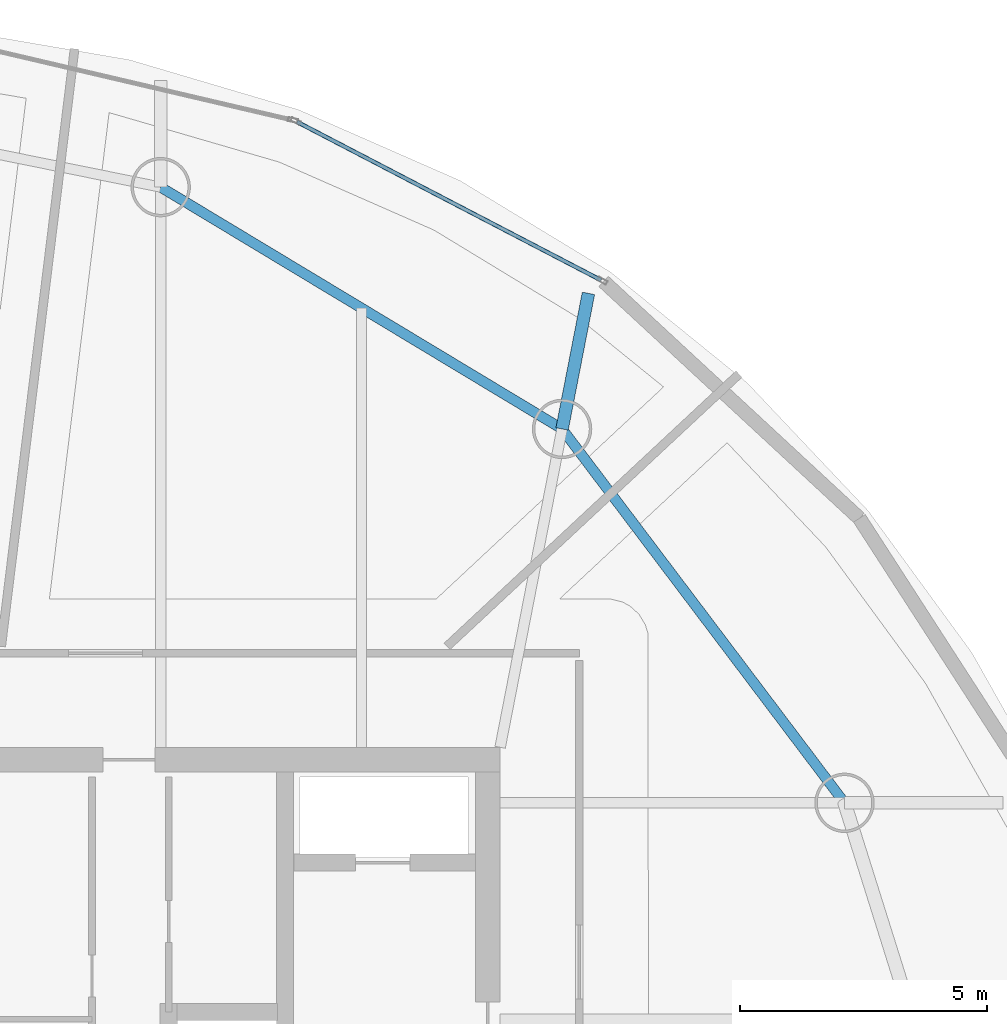
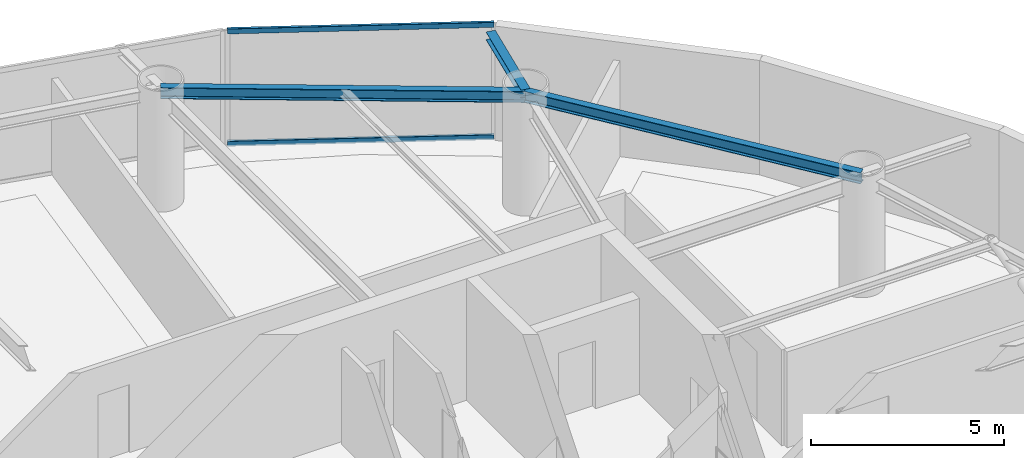
# One storey, part 15 of 25: 3 beams, 2 members, 1 element without a shape of its own.
"""IFC4 building model written with IfcOpenShell, lengths in metres."""

import ifcopenshell
import ifcopenshell.guid

model = None  # the IFC model being written
_history = None  # IfcOwnerHistory: only IFC2X3 demands one
_inside = {}  # id of a spatial element -> (the spatial element, [elements in it])
_under = {}  # id of a project, library or spatial element -> (it, [spatial elements below it])
_declared = {}  # id of a project -> (the project, [libraries it declares])
_typed = {}  # id of a type object -> (the type object, [elements of that type])
_made_of = {}  # id of a material, layer set ... -> (it, [elements and type objects made of it])


def new_model(schema):
    """Start an empty IFC model of exactly this schema.

    Asked for "IFC4X3", IfcOpenShell would pick the latest addendum, in which some entities
    have other attributes; the version numbers below select the first issue.
    IFC2X3 requires an IfcOwnerHistory on every rooted entity: one is made here for all.
    """
    global model, _history
    if schema == "IFC4X3":
        model = ifcopenshell.file(schema_version=(4, 3, 0, 0))
    else:
        model = ifcopenshell.file(schema=schema)
    _inside.clear()
    _under.clear()
    _declared.clear()
    _typed.clear()
    _made_of.clear()
    _history = None
    if model.schema == "IFC2X3":
        org = make("IfcOrganization", Name="unknown")
        user = make(
            "IfcPersonAndOrganization",
            ThePerson=make("IfcPerson", FamilyName="unknown"),
            TheOrganization=org,
        )
        app = make(
            "IfcApplication",
            ApplicationDeveloper=org,
            Version="unknown",
            ApplicationFullName="unknown",
            ApplicationIdentifier="unknown",
        )
        _history = make(
            "IfcOwnerHistory",
            OwningUser=user,
            OwningApplication=app,
            ChangeAction="ADDED",
            CreationDate=0,
        )
    return model


def make(cls, **values):
    """One entity of the class cls with the attributes given. An attribute that is None is left unset."""
    return model.create_entity(
        cls, **{name: value for name, value in values.items() if value is not None}
    )


def rooted(cls, **values):
    """An entity with a GlobalId (a new one), such as an element, a storey or a relation."""
    return make(cls, GlobalId=ifcopenshell.guid.new(), OwnerHistory=_history, **values)


def si_unit(unit_type, name, prefix=None):
    """IfcSIUnit, for example si_unit("LENGTHUNIT", "METRE", prefix="MILLI")."""
    return make("IfcSIUnit", UnitType=unit_type, Prefix=prefix, Name=name)


def assignment(units):
    """IfcUnitAssignment: the units of a project."""
    return None if units is None else make("IfcUnitAssignment", Units=units)


def point(xyz):
    """IfcCartesianPoint."""
    return None if xyz is None else make("IfcCartesianPoint", Coordinates=xyz)


def direction(xyz):
    """IfcDirection."""
    return None if xyz is None else make("IfcDirection", DirectionRatios=xyz)


def frame(location, z_axis=None, x_axis=None):
    """IfcAxis2Placement3D, a coordinate frame: its origin and axes. An axis left out is left unset."""
    return make(
        "IfcAxis2Placement3D",
        Location=point(location),
        Axis=direction(z_axis),
        RefDirection=direction(x_axis),
    )


def frame_2d(location, x_axis=None):
    """IfcAxis2Placement2D, a coordinate frame in the plane: its origin and x axis."""
    return make(
        "IfcAxis2Placement2D", Location=point(location), RefDirection=direction(x_axis)
    )


def origin():
    """The frame at (0, 0, 0) with its axes left unset."""
    return frame((0.0, 0.0, 0.0))


def origin_2d():
    """The frame at (0, 0) in the plane with its x axis left unset."""
    return frame_2d((0.0, 0.0))


def place(relative_to, where):
    """IfcLocalPlacement: puts the frame where relative to a parent placement (None: the world)."""
    return make(
        "IfcLocalPlacement", PlacementRelTo=relative_to, RelativePlacement=where
    )


def context(
    kind, dimensions, precision=None, world=None, true_north=None, identifier=None
):
    """IfcGeometricRepresentationContext, for example the 3D "Model" context."""
    return make(
        "IfcGeometricRepresentationContext",
        ContextIdentifier=identifier,
        ContextType=kind,
        CoordinateSpaceDimension=dimensions,
        Precision=precision,
        WorldCoordinateSystem=world,
        TrueNorth=true_north,
    )


def subcontext(parent, identifier, kind, view, scale=None):
    """IfcGeometricRepresentationSubContext, for example "Body" below "Model"."""
    return make(
        "IfcGeometricRepresentationSubContext",
        ContextIdentifier=identifier,
        ContextType=kind,
        ParentContext=parent,
        TargetScale=scale,
        TargetView=view,
    )


def project(units=None, contexts=None):
    """IfcProject with its units and contexts."""
    return rooted(
        "IfcProject",
        Name="project",
        RepresentationContexts=contexts,
        UnitsInContext=assignment(units),
    )


def spatial(cls, under=None, at=None, **own):
    """A site, building, storey or space (cls), placed at a placement, below another one or the project."""
    s = rooted(cls, ObjectPlacement=at, **own)
    if under is not None:
        _under.setdefault(under.id(), (under, []))[1].append(s)
    return s


def profile(cls, at=None, kind="AREA", **sizes):
    """A parametric profile (cls). Its sizes go by their IFC names, for example OverallWidth=200.0."""
    return make(cls, ProfileType=kind, Position=at, **sizes)


def hollow_rectangle(**sizes):
    """IfcRectangleHollowProfileDef."""
    return profile("IfcRectangleHollowProfileDef", **sizes)


def i_section(**sizes):
    """IfcIShapeProfileDef."""
    return profile("IfcIShapeProfileDef", **sizes)


def extrude(swept, where, along, depth):
    """IfcExtrudedAreaSolid: the profile swept, set in the frame where, extruded along a direction by depth."""
    return make(
        "IfcExtrudedAreaSolid",
        SweptArea=swept,
        Position=where,
        ExtrudedDirection=direction(along),
        Depth=depth,
    )


def shape(context_of_items, identifier, shape_type, items):
    """IfcShapeRepresentation: the items that make up one representation, for example the "Body"."""
    return make(
        "IfcShapeRepresentation",
        ContextOfItems=context_of_items,
        RepresentationIdentifier=identifier,
        RepresentationType=shape_type,
        Items=items,
    )


def material(Name=None, Category=None):
    """IfcMaterial."""
    return make("IfcMaterial", Name=Name, Category=Category)


def layer(
    of_material, thickness, ventilated=None, Name=None, Category=None, Priority=None
):
    """IfcMaterialLayer: one layer of a wall or slab, of a material (None: an air gap)."""
    return make(
        "IfcMaterialLayer",
        Material=of_material,
        LayerThickness=thickness,
        IsVentilated=ventilated,
        Name=Name,
        Category=Category,
        Priority=Priority,
    )


def layer_set(layers, Name=None):
    """IfcMaterialLayerSet."""
    return make("IfcMaterialLayerSet", MaterialLayers=layers, LayerSetName=Name)


def material_profile(
    of_material, cross_section, Name=None, Category=None, Priority=None
):
    """IfcMaterialProfile: a cross section and its material."""
    return make(
        "IfcMaterialProfile",
        Name=Name,
        Material=of_material,
        Profile=cross_section,
        Priority=Priority,
        Category=Category,
    )


def profile_set(profiles, Name=None, composite=None):
    """IfcMaterialProfileSet."""
    return make(
        "IfcMaterialProfileSet",
        Name=Name,
        MaterialProfiles=profiles,
        CompositeProfile=composite,
    )


def made_of(thing, what):
    """Note that an element or type object is made of a material, layer set ...; save() writes the relation."""
    if what is not None:
        _made_of.setdefault(what.id(), (what, []))[1].append(thing)
    return thing


def type_object(cls, material=None, **own):
    """A type object (cls), such as IfcWallType, which elements share."""
    return made_of(rooted(cls, **own), material)


def element(
    cls,
    number,
    at=None,
    inside=None,
    cuts=None,
    type_object=None,
    material=None,
    context=None,
    identifier="Body",
    shape_type=None,
    held_by="IfcProductDefinitionShape",
    body=None,
    shapes=None,
    **own,
):
    """One element of the class cls, such as IfcWall. Its Tag is "e" and its number.

    at: its placement. inside: the storey or other place that contains it. cuts: it is an
    opening in that element (IfcRelVoidsElement). A single representation is given by context,
    identifier, shape_type and body (its items); several are given by shapes. held_by: the class
    of the entity that holds the representations. save() writes the other relations.
    """
    e = rooted(cls, Tag="e%d" % number, ObjectPlacement=at, **own)
    if body is not None:
        shapes = [shape(context, identifier, shape_type, body)]
    if shapes is not None:
        e.Representation = make(held_by, Representations=shapes)
    if inside is not None:
        _inside.setdefault(inside.id(), (inside, []))[1].append(e)
    if cuts is not None:
        rooted(
            "IfcRelVoidsElement", RelatingBuildingElement=cuts, RelatedOpeningElement=e
        )
    if type_object is not None:
        _typed.setdefault(type_object.id(), (type_object, []))[1].append(e)
    return made_of(e, material)


def aggregate(whole, parts):
    """IfcRelAggregates: a whole, such as a stair, and the parts it consists of."""
    return rooted("IfcRelAggregates", RelatingObject=whole, RelatedObjects=parts)


def save(model, path):
    """Write the relations noted so far, then the file.

    IfcRelAggregates (storeys below a building ...), IfcRelContainedInSpatialStructure (elements
    in a storey), IfcRelDefinesByType, IfcRelAssociatesMaterial and IfcRelDeclares: one each for
    every whole, place, type object, material and project.
    """
    for whole, parts in _under.values():
        aggregate(whole, parts)
    for where, things in _inside.values():
        rooted(
            "IfcRelContainedInSpatialStructure",
            RelatedElements=things,
            RelatingStructure=where,
        )
    for kind, things in _typed.values():
        rooted("IfcRelDefinesByType", RelatedObjects=things, RelatingType=kind)
    for what, things in _made_of.values():
        rooted("IfcRelAssociatesMaterial", RelatedObjects=things, RelatingMaterial=what)
    for by, libraries in _declared.values():
        rooted("IfcRelDeclares", RelatingContext=by, RelatedDefinitions=libraries)
    model.write(path)


model = new_model("IFC4")

# Units and contexts
model_context = context("Model", 3, precision=1e-05, world=origin(), true_north=direction((0.0, 1.0)))
body_context = subcontext(model_context, "Body", "Model", "MODEL_VIEW")
ifc_project = project(units=[si_unit("LENGTHUNIT", "METRE"), si_unit("AREAUNIT", "SQUARE_METRE"), si_unit("VOLUMEUNIT", "CUBIC_METRE"), si_unit("PLANEANGLEUNIT", "RADIAN"), si_unit("MASSUNIT", "GRAM", prefix="KILO")], contexts=[model_context])

# Site, building, storey
site_placement = place(None, origin())
site = spatial("IfcSite", under=ifc_project, at=site_placement, CompositionType="ELEMENT")
building_placement = place(site_placement, origin())
building = spatial("IfcBuilding", under=site, at=building_placement, Name="Bramvorn Convention Spire", CompositionType="ELEMENT")
storey_placement = place(building_placement, frame((0.0, 0.0, 171.199951171875)))
storey = spatial("IfcBuildingStorey", under=building, at=storey_placement, Name="L43", CompositionType="ELEMENT", Elevation=171.199951171875)

# Beams
ifc_material_1 = material(Name="Steel CSA G40.21 Grade 350 (350W)", Category="steel")
ifc_material_profile_1 = material_profile(ifc_material_1, i_section(OverallWidth=0.25390625, OverallDepth=0.2529296875, WebThickness=0.008544921875, FlangeThickness=0.01416015625, FilletRadius=0.011962890625, at=origin_2d()))
ifc_profile_set_1 = profile_set([ifc_material_profile_1], Name="Steel CSA G40.21 Grade 350 (350W) - W250X73")
beam_type_1 = type_object("IfcBeamType", Name="BM-W250X73", PredefinedType="BEAM", material=ifc_profile_set_1)
beam_placement = place(storey_placement, frame((50.501953125, 39.885009765625, 3.49365234375), z_axis=(0.19101713944, 0.981586701438, 0.0), x_axis=(-0.981586701438, 0.19101713944, 0.0)))
element("IfcBeam", 1, at=beam_placement, inside=storey, type_object=beam_type_1, Name="L43 slab-edge cantilever tip beam MC05", PredefinedType="BEAM", context=body_context, shape_type="SweptSolid", body=[
    extrude(i_section(OverallWidth=0.25390625, OverallDepth=0.2529296875, WebThickness=0.008544921875, FlangeThickness=0.01416015625, FilletRadius=0.011962890625, at=origin_2d()), origin(), (0.0, 0.0, 1.0), 2.79150390625),
])
ifc_material_profile_2 = material_profile(ifc_material_1, i_section(OverallWidth=0.205078125, OverallDepth=0.35400390625, WebThickness=0.009521484375, FlangeThickness=0.016845703125, FilletRadius=0.014892578125, at=origin_2d()))
ifc_profile_set_2 = profile_set([ifc_material_profile_2], Name="Steel CSA G40.21 Grade 350 (350W) - W360X79")
beam_type_2 = type_object("IfcBeamType", Name="BM-W360X79", PredefinedType="JOIST", material=ifc_profile_set_2)
for number, where, z_axis, x_axis, name in (
    (2, (56.21044921875, 32.327392578125, 3.443115234375), (-0.602718581414, 0.797953827999, 0.0), (-0.797953827999, -0.602718581414, 0.0), "L43 mega-column ring beam 04"),
    (3, (50.501953125, 39.885009765625, 3.443115234375), (-0.856581795745, 0.516011266543, 0.0), (-0.516011266543, -0.856581795745, 0.0), "L43 mega-column ring beam 05"),
):
    element("IfcBeam", number, at=place(storey_placement, frame(where, z_axis=z_axis, x_axis=x_axis)), inside=storey, type_object=beam_type_2, Name=name, PredefinedType="JOIST", context=body_context, shape_type="SweptSolid", body=[
        extrude(i_section(OverallWidth=0.205078125, OverallDepth=0.35400390625, WebThickness=0.009521484375, FlangeThickness=0.016845703125, FilletRadius=0.014892578125, at=origin_2d()), origin(), (0.0, 0.0, 1.0), 9.47119140625),
    ])

# Curtain wall, members
ifc_material_2 = material(Name="Anodised Bronze Unitised Curtain Wall", Category="aluminium")
ifc_layer = layer(ifc_material_2, 0.179931640625)
ifc_layer_set = layer_set([ifc_layer], Name="Anodised Bronze Unitised Curtain Wall - CW-OFF-FRIT")
curtain_wall_type = type_object("IfcCurtainWallType", Name="CW-OFF-FRIT", PredefinedType="USERDEFINED", material=ifc_layer_set)
curtain_wall_placement = place(storey_placement, origin())
curtain_wall = element("IfcCurtainWall", 4, at=curtain_wall_placement, inside=storey, type_object=curtain_wall_type, Name="L43 fritted glass curtain wall 07", ObjectType="UNITISED CURTAIN WALL", PredefinedType="USERDEFINED")
ifc_material_3 = material(Name="Anodised Bronze Aluminium 6063-T6", Category="aluminium")
ifc_material_profile_3 = material_profile(ifc_material_3, hollow_rectangle(XDim=0.080078125, YDim=0.159912109375, WallThickness=0.00390625, InnerFilletRadius=0.0009765625, OuterFilletRadius=0.00390625, at=origin_2d()))
ifc_profile_set_3 = profile_set([ifc_material_profile_3], Name="Anodised Bronze Aluminium 6063-T6 - CWT80X160")
member_type = type_object("IfcMemberType", Name="CW-TRN-150", PredefinedType="USERDEFINED", material=ifc_profile_set_3)
member_1_placement = place(storey_placement, frame((45.14599609375, 46.09033203125, 0.030029296875), z_axis=(0.886981774842, -0.461804429491, 0.0), x_axis=(0.461804429491, 0.886981774842, 0.0)))
member_1 = element("IfcMember", 5, at=member_1_placement, type_object=member_type, Name="CW3 transom 1.1", ObjectType="TRANSOM", PredefinedType="USERDEFINED", context=body_context, shape_type="SweptSolid", body=[
    extrude(hollow_rectangle(XDim=0.080078125, YDim=0.159912109375, WallThickness=0.00390625, InnerFilletRadius=0.0009765625, OuterFilletRadius=0.00390625, at=origin_2d()), origin(), (0.0, 0.0, 1.0), 6.925537109375),
])
member_2_placement = place(storey_placement, frame((45.14599609375, 46.09033203125, 3.590087890625), z_axis=(0.886981774842, -0.461804429491, 0.0), x_axis=(0.461804429491, 0.886981774842, 0.0)))
member_2 = element("IfcMember", 6, at=member_2_placement, type_object=member_type, Name="CW3 transom 1.2", ObjectType="TRANSOM", PredefinedType="USERDEFINED", context=body_context, shape_type="SweptSolid", body=[
    extrude(hollow_rectangle(XDim=0.080078125, YDim=0.159912109375, WallThickness=0.00390625, InnerFilletRadius=0.0009765625, OuterFilletRadius=0.00390625, at=origin_2d()), origin(), (0.0, 0.0, 1.0), 6.925537109375),
])
aggregate(curtain_wall, [member_1, member_2])

save(model, "model.ifc")
